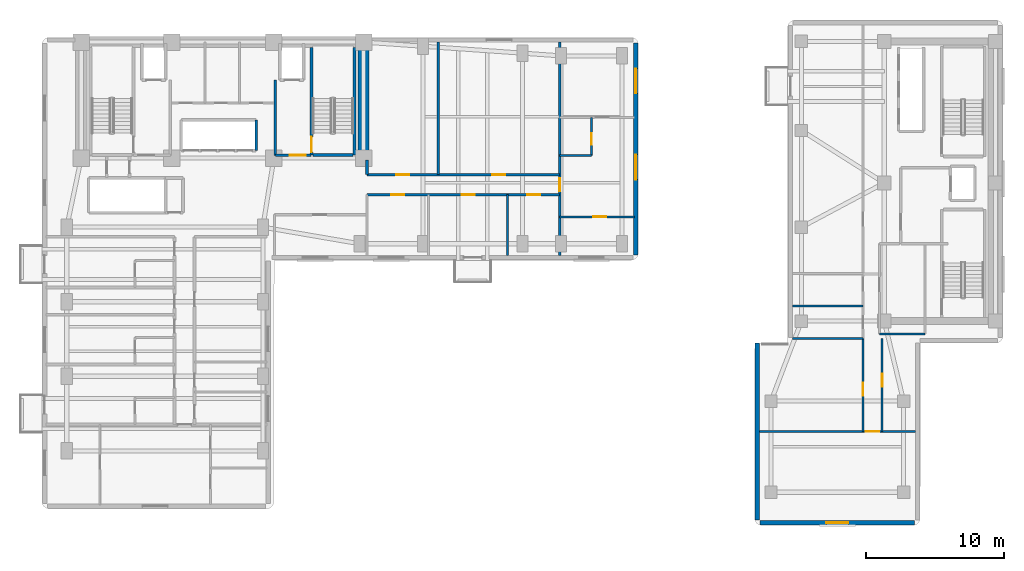
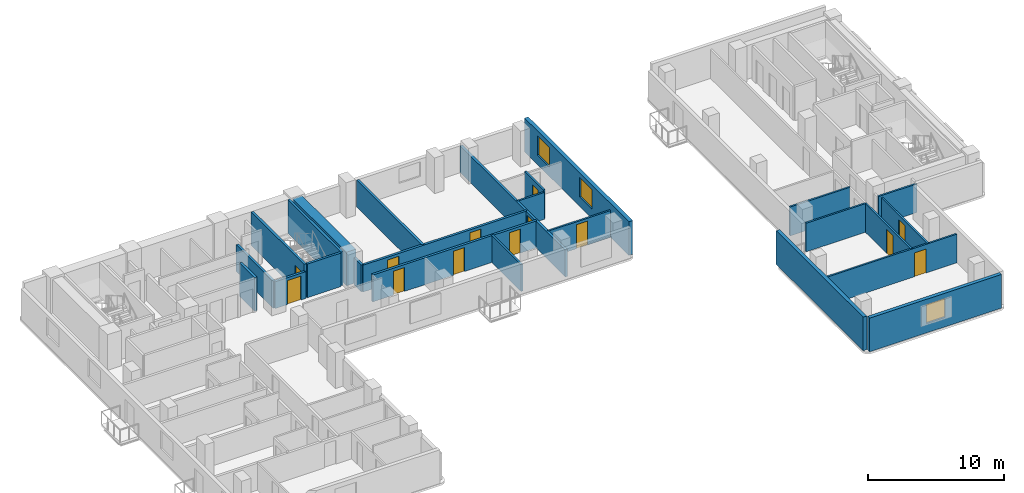
# One storey, part 5 of 11: 25 walls, 13 doors, 3 windows, 16 openings.
"""IFC4 building model written with IfcOpenShell, lengths in metres."""

from ifc_helpers import new_model, si_unit, direction, frame, frame_2d, origin, place, context, subcontext, project, spatial, rectangle, extrude, material, layer, layer_set, type_object, element, fill, save


model = new_model("IFC4")

# Units and contexts
model_context = context("Model", 3, precision=1e-05, world=origin(), true_north=direction((0.0, 1.0)))
body_context = subcontext(model_context, "Body", "Model", "MODEL_VIEW")
ifc_project = project(units=[si_unit("LENGTHUNIT", "METRE"), si_unit("AREAUNIT", "SQUARE_METRE"), si_unit("VOLUMEUNIT", "CUBIC_METRE"), si_unit("PLANEANGLEUNIT", "RADIAN"), si_unit("MASSUNIT", "GRAM", prefix="KILO")], contexts=[model_context])

# Site, building, storey
site_placement = place(None, origin())
site = spatial("IfcSite", under=ifc_project, at=site_placement, CompositionType="ELEMENT")
building_placement = place(site_placement, origin())
building = spatial("IfcBuilding", under=site, at=building_placement, Name="Kuzgunbayir Cultural Tower", CompositionType="ELEMENT")
storey_placement = place(building_placement, frame((0.0, 0.0, 83.39990234375)))
storey = spatial("IfcBuildingStorey", under=building, at=storey_placement, Name="L23", CompositionType="ELEMENT", Elevation=83.39990234375)

# Wall
ifc_material_1 = material(Name="Concrete C60/75", Category="concrete")
ifc_layer_1 = layer(ifc_material_1, 0.800048828125)
ifc_layer_set_1 = layer_set([ifc_layer_1], Name="Concrete C60/75")
wall_type_1 = type_object("IfcWallType", Name="WAL-CORE-800", PredefinedType="SHEAR", material=ifc_layer_set_1)
wall_1_placement = place(storey_placement, frame((26.89990234375, 33.800048828125, 0.0), z_axis=(0.0, 0.0, 1.0), x_axis=(0.0, 1.0, 0.0)))
element("IfcWall", 1, at=wall_1_placement, inside=storey, type_object=wall_type_1, Name="L23 T1 Core East Shear Wall", PredefinedType="SHEAR", context=body_context, shape_type="SweptSolid", body=[
    extrude(rectangle(XDim=7.949951171875, YDim=0.800048828125, at=frame_2d((3.97509765625, 0.0))), origin(), (0.0, 0.0, 1.0), 3.02001953125),
])

# Wall, opening, window
ifc_material_2 = material(Name="Anatolian Cream Limestone", Category="masonry")
ifc_layer_2 = layer(ifc_material_2, 0.300048828125)
ifc_layer_set_2 = layer_set([ifc_layer_2], Name="Anatolian Cream Limestone")
wall_type_2 = type_object("IfcWallType", Name="WAL-EXT-STONE-300", PredefinedType="STANDARD", material=ifc_layer_set_2)
wall_2_placement = place(storey_placement, frame((55.60009765625, 7.39990234375, 0.0), z_axis=(0.0, 0.0, 1.0), x_axis=(1.0, 0.0, 0.0)))
wall_2 = element("IfcWall", 2, at=wall_2_placement, inside=storey, type_object=wall_type_2, Name="L23 Companion Wing B South Wall", PredefinedType="STANDARD", context=body_context, shape_type="SweptSolid", body=[
    extrude(rectangle(XDim=11.199951171875, YDim=0.300048828125, at=frame_2d((5.60009765625, 0.0))), origin(), (0.0, 0.0, 1.0), 3.02001953125),
])
opening_1_placement = place(wall_2_placement, frame((4.800048828125, 0.0, 0.85009765625)))
opening_1 = element("IfcOpeningElement", 3, at=opening_1_placement, cuts=wall_2, Name="Opening WC-16", PredefinedType="OPENING", context=body_context, shape_type="SweptSolid", body=[
    extrude(rectangle(XDim=1.60009765625, YDim=1.699951171875, at=frame_2d((0.800048828125, 0.85009765625))), frame((0.0, 0.16015625, 0.0), z_axis=(0.0, -1.0, 0.0), x_axis=(1.0, 0.0, 0.0)), (0.0, 0.0, 1.0), 0.320068359375),
])
ifc_material_3 = material(Name="Solar-Control Triple Glazing", Category="glass")
window_type_1 = type_object("IfcWindowType", Name="WIN-COMP-16", PartitioningType="SINGLE_PANEL", PredefinedType="WINDOW", material=ifc_material_3)
window_1_placement = place(opening_1_placement, origin())
window_1 = element("IfcWindow", 4, at=window_1_placement, inside=storey, type_object=window_type_1, Name="L23 Companion South Window", OverallHeight=1.699951171875, OverallWidth=1.60009765625, PartitioningType="SINGLE_PANEL", PredefinedType="WINDOW", context=body_context, shape_type="SweptSolid", body=[
    extrude(rectangle(XDim=1.60009765625, YDim=1.699951171875, at=frame_2d((0.800048828125, 0.85009765625))), frame((0.0, 0.030029296875, 0.0), z_axis=(0.0, -1.0, 0.0), x_axis=(1.0, 0.0, 0.0)), (0.0, 0.0, 1.0), 0.06005859375),
])
fill(opening_1, window_1)

# Wall
wall_3_placement = place(storey_placement, frame((55.39990234375, 20.39990234375, 0.0), z_axis=(0.0, 0.0, 1.0), x_axis=(0.0, -1.0, 0.0)))
element("IfcWall", 5, at=wall_3_placement, inside=storey, type_object=wall_type_2, Name="L23 Companion Wing B West Wall", PredefinedType="STANDARD", context=body_context, shape_type="SweptSolid", body=[
    extrude(rectangle(XDim=12.7998046875, YDim=0.300048828125, at=frame_2d((6.39990234375, 0.0))), origin(), (0.0, 0.0, 1.0), 3.02001953125),
])

# Wall, openings, windows
ifc_material_4 = material(Name="Travertine Buff Ashlar", Category="masonry")
ifc_layer_3 = layer(ifc_material_4, 0.320068359375)
ifc_layer_set_3 = layer_set([ifc_layer_3], Name="Travertine Buff Ashlar")
wall_type_3 = type_object("IfcWallType", Name="WAL-EXT-STONE-320", PredefinedType="STANDARD", material=ifc_layer_set_3)
wall_4_placement = place(storey_placement, frame((46.60009765625, 26.800048828125, 0.0), z_axis=(0.0, 0.0, 1.0), x_axis=(0.0, 1.0, 0.0)))
wall_4 = element("IfcWall", 6, at=wall_4_placement, inside=storey, type_object=wall_type_3, Name="L23 Wing B East Limestone Wall", PredefinedType="STANDARD", context=body_context, shape_type="SweptSolid", body=[
    extrude(rectangle(XDim=15.349853515625, YDim=0.320068359375, at=frame_2d((7.6748046875, 0.0))), origin(), (0.0, 0.0, 1.0), 3.02001953125),
])
opening_2_placement = place(wall_4_placement, frame((5.449951171875, 0.0, 0.85009765625)))
opening_2 = element("IfcOpeningElement", 7, at=opening_2_placement, cuts=wall_4, Name="Opening WH-18", PredefinedType="OPENING", context=body_context, shape_type="SweptSolid", body=[
    extrude(rectangle(XDim=1.800048828125, YDim=1.75, at=frame_2d((0.89990234375, 0.875))), frame((0.0, 0.169921875, 0.0), z_axis=(0.0, -1.0, 0.0), x_axis=(1.0, 0.0, 0.0)), (0.0, 0.0, 1.0), 0.340087890625),
])
opening_3_placement = place(wall_4_placement, frame((11.679931640625, 0.0, 0.85009765625)))
opening_3 = element("IfcOpeningElement", 8, at=opening_3_placement, cuts=wall_4, Name="Opening WH-18", PredefinedType="OPENING", context=body_context, shape_type="SweptSolid", body=[
    extrude(rectangle(XDim=1.800048828125, YDim=1.75, at=frame_2d((0.89990234375, 0.875))), frame((0.0, 0.169921875, 0.0), z_axis=(0.0, -1.0, 0.0), x_axis=(1.0, 0.0, 0.0)), (0.0, 0.0, 1.0), 0.340087890625),
])
window_type_2 = type_object("IfcWindowType", Name="WIN-HOTEL-18", PartitioningType="SINGLE_PANEL", PredefinedType="WINDOW", material=ifc_material_3)
window_2_placement = place(opening_2_placement, origin())
window_2 = element("IfcWindow", 9, at=window_2_placement, inside=storey, type_object=window_type_2, Name="L23 WBE Facade Window 4", OverallHeight=1.75, OverallWidth=1.800048828125, PartitioningType="SINGLE_PANEL", PredefinedType="WINDOW", context=body_context, shape_type="SweptSolid", body=[
    extrude(rectangle(XDim=1.800048828125, YDim=1.75, at=frame_2d((0.89990234375, 0.875))), frame((0.0, 0.030029296875, 0.0), z_axis=(0.0, -1.0, 0.0), x_axis=(1.0, 0.0, 0.0)), (0.0, 0.0, 1.0), 0.06005859375),
])
fill(opening_2, window_2)
window_3_placement = place(opening_3_placement, origin())
window_3 = element("IfcWindow", 10, at=window_3_placement, inside=storey, type_object=window_type_2, Name="L23 WBE Facade Window 5", OverallHeight=1.75, OverallWidth=1.800048828125, PartitioningType="SINGLE_PANEL", PredefinedType="WINDOW", context=body_context, shape_type="SweptSolid", body=[
    extrude(rectangle(XDim=1.800048828125, YDim=1.75, at=frame_2d((0.89990234375, 0.875))), frame((0.0, 0.030029296875, 0.0), z_axis=(0.0, -1.0, 0.0), x_axis=(1.0, 0.0, 0.0)), (0.0, 0.0, 1.0), 0.06005859375),
])
fill(opening_3, window_3)

# Walls
ifc_material_5 = material(Name="Acoustic Double-Stud Drywall", Category="gypsum")
ifc_layer_4 = layer(ifc_material_5, 0.14990234375)
ifc_layer_set_4 = layer_set([ifc_layer_4], Name="Acoustic Double-Stud Drywall")
wall_type_4 = type_object("IfcWallType", Name="WAL-PART-ACOUSTIC-150", PredefinedType="PARTITIONING", material=ifc_layer_set_4)
wall_5_placement = place(storey_placement, frame((37.330078125, 26.75, 0.0), z_axis=(0.0, 0.0, 1.0), x_axis=(0.0, 1.0, 0.0)))
element("IfcWall", 11, at=wall_5_placement, inside=storey, type_object=wall_type_4, Name="L23 Wing B South Divider 2", PredefinedType="PARTITIONING", context=body_context, shape_type="SweptSolid", body=[
    extrude(rectangle(XDim=4.39990234375, YDim=0.14990234375, at=frame_2d((2.199951171875, 0.0))), origin(), (0.0, 0.0, 1.0), 2.41015625),
])
wall_6_placement = place(storey_placement, frame((64.25, 21.050048828125, 0.0), z_axis=(0.0, 0.0, 1.0), x_axis=(1.0, 0.0, 0.0)))
element("IfcWall", 12, at=wall_6_placement, inside=storey, type_object=wall_type_4, Name="L23 Companion Archive South Wall", PredefinedType="PARTITIONING", context=body_context, shape_type="SweptSolid", body=[
    extrude(rectangle(XDim=3.300048828125, YDim=0.14990234375, at=frame_2d((1.64990234375, 0.0))), origin(), (0.0, 0.0, 1.0), 2.570068359375),
])

# Wall, opening, door
wall_7_placement = place(storey_placement, frame((63.050048828125, 14.0, 0.0), z_axis=(0.0, 0.0, 1.0), x_axis=(0.0, 1.0, 0.0)))
wall_7 = element("IfcWall", 13, at=wall_7_placement, inside=storey, type_object=wall_type_4, Name="L23 Companion South Corridor West Wall", PredefinedType="PARTITIONING", context=body_context, shape_type="SweptSolid", body=[
    extrude(rectangle(XDim=6.75, YDim=0.14990234375, at=frame_2d((3.375, 0.0))), origin(), (0.0, 0.0, 1.0), 2.570068359375),
])
opening_4_placement = place(wall_7_placement, frame((2.60009765625, 0.0, 0.0)))
opening_4 = element("IfcOpeningElement", 14, at=opening_4_placement, cuts=wall_7, Name="Opening DI-90", PredefinedType="OPENING", context=body_context, shape_type="SweptSolid", body=[
    extrude(rectangle(XDim=0.949951171875, YDim=2.14990234375, at=frame_2d((0.47509765625, 1.074951171875))), frame((0.0, 0.0849609375, 0.0), z_axis=(0.0, -1.0, 0.0), x_axis=(1.0, 0.0, 0.0)), (0.0, 0.0, 1.0), 0.169921875),
])
ifc_material_6 = material(Name="Veneered Oak Single Leaf", Category="wood")
door_type_1 = type_object("IfcDoorType", Name="DR-INT-90", OperationType="NOTDEFINED", PredefinedType="DOOR", material=ifc_material_6)
door_1_placement = place(opening_4_placement, origin())
door_1 = element("IfcDoor", 15, at=door_1_placement, inside=storey, type_object=door_type_1, Name="L23 Companion West Atelier Door", OperationType="SINGLE_SWING_RIGHT", OverallHeight=2.14990234375, OverallWidth=0.949951171875, PredefinedType="DOOR", context=body_context, shape_type="SweptSolid", body=[
    extrude(rectangle(XDim=0.949951171875, YDim=2.14990234375, at=frame_2d((0.47509765625, 1.074951171875))), frame((0.0, 0.02490234375, 0.0), z_axis=(0.0, -1.0, 0.0), x_axis=(1.0, 0.0, 0.0)), (0.0, 0.0, 1.0), 0.050048828125),
])
fill(opening_4, door_1)

wall_8_placement = place(storey_placement, frame((55.550048828125, 14.0, 0.0), z_axis=(0.0, 0.0, 1.0), x_axis=(1.0, 0.0, 0.0)))
wall_8 = element("IfcWall", 16, at=wall_8_placement, inside=storey, type_object=wall_type_4, Name="L23 Companion South Gallery Wall", PredefinedType="PARTITIONING", context=body_context, shape_type="SweptSolid", body=[
    extrude(rectangle(XDim=11.300048828125, YDim=0.14990234375, at=frame_2d((5.64990234375, 0.0))), origin(), (0.0, 0.0, 1.0), 2.570068359375),
])
opening_5_placement = place(wall_8_placement, frame((7.699951171875, 0.0, 0.0)))
opening_5 = element("IfcOpeningElement", 17, at=opening_5_placement, cuts=wall_8, Name="Opening DI-100", PredefinedType="OPENING", context=body_context, shape_type="SweptSolid", body=[
    extrude(rectangle(XDim=1.0, YDim=2.14990234375, at=frame_2d((0.5, 1.074951171875))), frame((0.0, 0.0849609375, 0.0), z_axis=(0.0, -1.0, 0.0), x_axis=(1.0, 0.0, 0.0)), (0.0, 0.0, 1.0), 0.169921875),
])
door_type_2 = type_object("IfcDoorType", Name="DR-INT-100", OperationType="NOTDEFINED", PredefinedType="DOOR", material=ifc_material_6)
door_2_placement = place(opening_5_placement, origin())
door_2 = element("IfcDoor", 18, at=door_2_placement, inside=storey, type_object=door_type_2, Name="L23 Companion South Salon Door", OperationType="SINGLE_SWING_RIGHT", OverallHeight=2.14990234375, OverallWidth=1.0, PredefinedType="DOOR", context=body_context, shape_type="SweptSolid", body=[
    extrude(rectangle(XDim=1.0, YDim=2.14990234375, at=frame_2d((0.5, 1.074951171875))), frame((0.0, 0.02490234375, 0.0), z_axis=(0.0, -1.0, 0.0), x_axis=(1.0, 0.0, 0.0)), (0.0, 0.0, 1.0), 0.050048828125),
])
fill(opening_5, door_2)

wall_9_placement = place(storey_placement, frame((64.449951171875, 14.0, 0.0), z_axis=(0.0, 0.0, 1.0), x_axis=(0.0, 1.0, 0.0)))
wall_9 = element("IfcWall", 19, at=wall_9_placement, inside=storey, type_object=wall_type_4, Name="L23 Companion South Corridor East Wall", PredefinedType="PARTITIONING", context=body_context, shape_type="SweptSolid", body=[
    extrude(rectangle(XDim=6.75, YDim=0.14990234375, at=frame_2d((3.375, 0.0))), origin(), (0.0, 0.0, 1.0), 2.570068359375),
])
opening_6_placement = place(wall_9_placement, frame((3.239990234375, 0.0, 0.0)))
opening_6 = element("IfcOpeningElement", 20, at=opening_6_placement, cuts=wall_9, Name="Opening DI-90", PredefinedType="OPENING", context=body_context, shape_type="SweptSolid", body=[
    extrude(rectangle(XDim=0.949951171875, YDim=2.14990234375, at=frame_2d((0.47509765625, 1.074951171875))), frame((0.0, 0.0849609375, 0.0), z_axis=(0.0, -1.0, 0.0), x_axis=(1.0, 0.0, 0.0)), (0.0, 0.0, 1.0), 0.169921875),
])
door_3_placement = place(opening_6_placement, origin())
door_3 = element("IfcDoor", 21, at=door_3_placement, inside=storey, type_object=door_type_1, Name="L23 Companion East Studio Door", OperationType="SINGLE_SWING_LEFT", OverallHeight=2.14990234375, OverallWidth=0.949951171875, PredefinedType="DOOR", context=body_context, shape_type="SweptSolid", body=[
    extrude(rectangle(XDim=0.949951171875, YDim=2.14990234375, at=frame_2d((0.47509765625, 1.074951171875))), frame((0.0, 0.02490234375, 0.0), z_axis=(0.0, -1.0, 0.0), x_axis=(1.0, 0.0, 0.0)), (0.0, 0.0, 1.0), 0.050048828125),
])
fill(opening_6, door_3)

# Wall
ifc_material_7 = material(Name="Aerated Concrete Blockwork", Category="masonry")
ifc_layer_5 = layer(ifc_material_7, 0.199951171875)
ifc_layer_set_5 = layer_set([ifc_layer_5], Name="Aerated Concrete Blockwork")
wall_type_5 = type_object("IfcWallType", Name="WAL-PART-FIRE-200", PredefinedType="PARTITIONING", material=ifc_layer_set_5)
wall_10_placement = place(storey_placement, frame((20.5, 34.0, 0.0), z_axis=(0.0, 0.0, 1.0), x_axis=(0.0, 1.0, 0.0)))
element("IfcWall", 22, at=wall_10_placement, inside=storey, type_object=wall_type_5, Name="L23 FFL-2 Lobby West Fire Wall", PredefinedType="PARTITIONING", context=body_context, shape_type="SweptSolid", body=[
    extrude(rectangle(XDim=5.449951171875, YDim=0.199951171875, at=frame_2d((2.72509765625, 0.0))), origin(), (0.0, 0.0, 1.0), 2.41015625),
])

# Wall, opening, door
wall_11_placement = place(storey_placement, frame((20.5, 34.0, 0.0), z_axis=(0.0, 0.0, 1.0), x_axis=(1.0, 0.0, 0.0)))
wall_11 = element("IfcWall", 23, at=wall_11_placement, inside=storey, type_object=wall_type_5, Name="L23 FFL-2 Lobby South Fire Wall", PredefinedType="PARTITIONING", context=body_context, shape_type="SweptSolid", body=[
    extrude(rectangle(XDim=2.60009765625, YDim=0.199951171875, at=frame_2d((1.300048828125, 0.0))), origin(), (0.0, 0.0, 1.0), 2.41015625),
])
opening_7_placement = place(wall_11_placement, frame((1.050048828125, 0.0, 0.0)))
opening_7 = element("IfcOpeningElement", 24, at=opening_7_placement, cuts=wall_11, Name="Opening DR-FFL-90", PredefinedType="OPENING", context=body_context, shape_type="SweptSolid", body=[
    extrude(rectangle(XDim=1.14990234375, YDim=2.14990234375, at=frame_2d((0.574951171875, 1.074951171875))), frame((0.0, 0.10986328125, 0.0), z_axis=(0.0, -1.0, 0.0), x_axis=(1.0, 0.0, 0.0)), (0.0, 0.0, 1.0), 0.219970703125),
])
ifc_material_8 = material(Name="Steel S355J2", Category="steel")
door_type_3 = type_object("IfcDoorType", Name="DR-FFL-90", OperationType="NOTDEFINED", PredefinedType="DOOR", material=ifc_material_8)
door_4_placement = place(opening_7_placement, origin())
door_4 = element("IfcDoor", 25, at=door_4_placement, inside=storey, type_object=door_type_3, Name="L23 Firefighting Lobby 2 Door", OperationType="SINGLE_SWING_LEFT", OverallHeight=2.14990234375, OverallWidth=1.14990234375, PredefinedType="DOOR", context=body_context, shape_type="SweptSolid", body=[
    extrude(rectangle(XDim=1.14990234375, YDim=2.14990234375, at=frame_2d((0.574951171875, 1.074951171875))), frame((0.0, 0.02490234375, 0.0), z_axis=(0.0, -1.0, 0.0), x_axis=(1.0, 0.0, 0.0)), (0.0, 0.0, 1.0), 0.050048828125),
])
fill(opening_7, door_4)

# Wall, openings, doors
wall_12_placement = place(storey_placement, frame((27.14990234375, 31.14990234375, 0.0), z_axis=(0.0, 0.0, 1.0), x_axis=(1.0, 0.0, 0.0)))
wall_12 = element("IfcWall", 26, at=wall_12_placement, inside=storey, type_object=wall_type_5, Name="L23 Wing B Hotel Corridor South Wall", PredefinedType="PARTITIONING", context=body_context, shape_type="SweptSolid", body=[
    extrude(rectangle(XDim=13.9501953125, YDim=0.199951171875, at=frame_2d((6.97509765625, 0.0))), origin(), (0.0, 0.0, 1.0), 2.41015625),
])
opening_8_placement = place(wall_12_placement, frame((1.75, 0.0, 0.0)))
opening_8 = element("IfcOpeningElement", 27, at=opening_8_placement, cuts=wall_12, Name="Opening DI-90", PredefinedType="OPENING", context=body_context, shape_type="SweptSolid", body=[
    extrude(rectangle(XDim=0.949951171875, YDim=2.14990234375, at=frame_2d((0.47509765625, 1.074951171875))), frame((0.0, 0.10986328125, 0.0), z_axis=(0.0, -1.0, 0.0), x_axis=(1.0, 0.0, 0.0)), (0.0, 0.0, 1.0), 0.219970703125),
])
opening_9_placement = place(wall_12_placement, frame((6.840087890625, 0.0, 0.0)))
opening_9 = element("IfcOpeningElement", 28, at=opening_9_placement, cuts=wall_12, Name="Opening DI-90", PredefinedType="OPENING", context=body_context, shape_type="SweptSolid", body=[
    extrude(rectangle(XDim=0.949951171875, YDim=2.14990234375, at=frame_2d((0.47509765625, 1.074951171875))), frame((0.0, 0.10986328125, 0.0), z_axis=(0.0, -1.0, 0.0), x_axis=(1.0, 0.0, 0.0)), (0.0, 0.0, 1.0), 0.219970703125),
])
opening_10_placement = place(wall_12_placement, frame((11.590087890625, 0.0, 0.0)))
opening_10 = element("IfcOpeningElement", 29, at=opening_10_placement, cuts=wall_12, Name="Opening DI-90", PredefinedType="OPENING", context=body_context, shape_type="SweptSolid", body=[
    extrude(rectangle(XDim=0.949951171875, YDim=2.14990234375, at=frame_2d((0.47509765625, 1.074951171875))), frame((0.0, 0.10986328125, 0.0), z_axis=(0.0, -1.0, 0.0), x_axis=(1.0, 0.0, 0.0)), (0.0, 0.0, 1.0), 0.219970703125),
])
door_5_placement = place(opening_8_placement, origin())
door_5 = element("IfcDoor", 30, at=door_5_placement, inside=storey, type_object=door_type_1, Name="L23 Fellows Reading Lounge B1 Door", OperationType="SINGLE_SWING_LEFT", OverallHeight=2.14990234375, OverallWidth=0.949951171875, PredefinedType="DOOR", context=body_context, shape_type="SweptSolid", body=[
    extrude(rectangle(XDim=0.949951171875, YDim=2.14990234375, at=frame_2d((0.47509765625, 1.074951171875))), frame((0.0, 0.02490234375, 0.0), z_axis=(0.0, -1.0, 0.0), x_axis=(1.0, 0.0, 0.0)), (0.0, 0.0, 1.0), 0.050048828125),
])
fill(opening_8, door_5)
door_6_placement = place(opening_9_placement, origin())
door_6 = element("IfcDoor", 31, at=door_6_placement, inside=storey, type_object=door_type_1, Name="L23 Fellows Reading Lounge B2 Door", OperationType="SINGLE_SWING_RIGHT", OverallHeight=2.14990234375, OverallWidth=0.949951171875, PredefinedType="DOOR", context=body_context, shape_type="SweptSolid", body=[
    extrude(rectangle(XDim=0.949951171875, YDim=2.14990234375, at=frame_2d((0.47509765625, 1.074951171875))), frame((0.0, 0.02490234375, 0.0), z_axis=(0.0, -1.0, 0.0), x_axis=(1.0, 0.0, 0.0)), (0.0, 0.0, 1.0), 0.050048828125),
])
fill(opening_9, door_6)
door_7_placement = place(opening_10_placement, origin())
door_7 = element("IfcDoor", 32, at=door_7_placement, inside=storey, type_object=door_type_1, Name="L23 Fellows Reading Lounge B3 Door", OperationType="SINGLE_SWING_LEFT", OverallHeight=2.14990234375, OverallWidth=0.949951171875, PredefinedType="DOOR", context=body_context, shape_type="SweptSolid", body=[
    extrude(rectangle(XDim=0.949951171875, YDim=2.14990234375, at=frame_2d((0.47509765625, 1.074951171875))), frame((0.0, 0.02490234375, 0.0), z_axis=(0.0, -1.0, 0.0), x_axis=(1.0, 0.0, 0.0)), (0.0, 0.0, 1.0), 0.050048828125),
])
fill(opening_10, door_7)

wall_13_placement = place(storey_placement, frame((27.14990234375, 32.60009765625, 0.0), z_axis=(0.0, 0.0, 1.0), x_axis=(1.0, 0.0, 0.0)))
wall_13 = element("IfcWall", 33, at=wall_13_placement, inside=storey, type_object=wall_type_5, Name="L23 Wing B Hotel Corridor North Wall", PredefinedType="PARTITIONING", context=body_context, shape_type="SweptSolid", body=[
    extrude(rectangle(XDim=13.9501953125, YDim=0.199951171875, at=frame_2d((6.97509765625, 0.0))), origin(), (0.0, 0.0, 1.0), 2.41015625),
])
opening_11_placement = place(wall_13_placement, frame((2.10009765625, 0.0, 0.0)))
opening_11 = element("IfcOpeningElement", 34, at=opening_11_placement, cuts=wall_13, Name="Opening DI-90", PredefinedType="OPENING", context=body_context, shape_type="SweptSolid", body=[
    extrude(rectangle(XDim=0.949951171875, YDim=2.14990234375, at=frame_2d((0.47509765625, 1.074951171875))), frame((0.0, 0.10986328125, 0.0), z_axis=(0.0, -1.0, 0.0), x_axis=(1.0, 0.0, 0.0)), (0.0, 0.0, 1.0), 0.219970703125),
])
opening_12_placement = place(wall_13_placement, frame((9.070068359375, 0.0, 0.0)))
opening_12 = element("IfcOpeningElement", 35, at=opening_12_placement, cuts=wall_13, Name="Opening DI-90", PredefinedType="OPENING", context=body_context, shape_type="SweptSolid", body=[
    extrude(rectangle(XDim=0.949951171875, YDim=2.14990234375, at=frame_2d((0.47509765625, 1.074951171875))), frame((0.0, 0.10986328125, 0.0), z_axis=(0.0, -1.0, 0.0), x_axis=(1.0, 0.0, 0.0)), (0.0, 0.0, 1.0), 0.219970703125),
])
door_8_placement = place(opening_11_placement, origin())
door_8 = element("IfcDoor", 36, at=door_8_placement, inside=storey, type_object=door_type_1, Name="L23 North Fellows Reading Lounge 1 Door", OperationType="SINGLE_SWING_RIGHT", OverallHeight=2.14990234375, OverallWidth=0.949951171875, PredefinedType="DOOR", context=body_context, shape_type="SweptSolid", body=[
    extrude(rectangle(XDim=0.949951171875, YDim=2.14990234375, at=frame_2d((0.47509765625, 1.074951171875))), frame((0.0, 0.02490234375, 0.0), z_axis=(0.0, -1.0, 0.0), x_axis=(1.0, 0.0, 0.0)), (0.0, 0.0, 1.0), 0.050048828125),
])
fill(opening_11, door_8)
door_9_placement = place(opening_12_placement, origin())
door_9 = element("IfcDoor", 37, at=door_9_placement, inside=storey, type_object=door_type_1, Name="L23 North Wellness Consultation Studio 2 Door", OperationType="SINGLE_SWING_LEFT", OverallHeight=2.14990234375, OverallWidth=0.949951171875, PredefinedType="DOOR", context=body_context, shape_type="SweptSolid", body=[
    extrude(rectangle(XDim=0.949951171875, YDim=2.14990234375, at=frame_2d((0.47509765625, 1.074951171875))), frame((0.0, 0.02490234375, 0.0), z_axis=(0.0, -1.0, 0.0), x_axis=(1.0, 0.0, 0.0)), (0.0, 0.0, 1.0), 0.050048828125),
])
fill(opening_12, door_9)

# Wall
wall_14_placement = place(storey_placement, frame((27.14990234375, 32.60009765625, 0.0), z_axis=(0.0, 0.0, 1.0), x_axis=(0.0, 1.0, 0.0)))
element("IfcWall", 38, at=wall_14_placement, inside=storey, type_object=wall_type_5, Name="L23 Wing B North Core Closure Wall", PredefinedType="PARTITIONING", context=body_context, shape_type="SweptSolid", body=[
    extrude(rectangle(XDim=1.079833984375, YDim=0.199951171875, at=frame_2d((0.5400390625, 0.0))), origin(), (0.0, 0.0, 1.0), 2.41015625),
])

# Wall, opening, door
wall_15_placement = place(storey_placement, frame((41.10009765625, 26.75, 0.0), z_axis=(0.0, 0.0, 1.0), x_axis=(0.0, 1.0, 0.0)))
wall_15 = element("IfcWall", 39, at=wall_15_placement, inside=storey, type_object=wall_type_5, Name="L23 Wing B East Suite Wall", PredefinedType="PARTITIONING", context=body_context, shape_type="SweptSolid", body=[
    extrude(rectangle(XDim=15.449951171875, YDim=0.199951171875, at=frame_2d((7.72509765625, 0.0))), origin(), (0.0, 0.0, 1.0), 2.41015625),
])
opening_13_placement = place(wall_15_placement, frame((4.64990234375, 0.0, 0.0)))
opening_13 = element("IfcOpeningElement", 40, at=opening_13_placement, cuts=wall_15, Name="Opening DR-APT-60", PredefinedType="OPENING", context=body_context, shape_type="SweptSolid", body=[
    extrude(rectangle(XDim=0.949951171875, YDim=2.14990234375, at=frame_2d((0.47509765625, 1.074951171875))), frame((0.0, 0.10986328125, 0.0), z_axis=(0.0, -1.0, 0.0), x_axis=(1.0, 0.0, 0.0)), (0.0, 0.0, 1.0), 0.219970703125),
])
ifc_material_9 = material(Name="Acoustic Fire Timber Leaf", Category="wood")
door_type_4 = type_object("IfcDoorType", Name="DR-APT-60", OperationType="NOTDEFINED", PredefinedType="DOOR", material=ifc_material_9)
door_10_placement = place(opening_13_placement, origin())
door_10 = element("IfcDoor", 41, at=door_10_placement, inside=storey, type_object=door_type_4, Name="L23 Corner Suite Entrance", OperationType="SINGLE_SWING_LEFT", OverallHeight=2.14990234375, OverallWidth=0.949951171875, PredefinedType="DOOR", context=body_context, shape_type="SweptSolid", body=[
    extrude(rectangle(XDim=0.949951171875, YDim=2.14990234375, at=frame_2d((0.47509765625, 1.074951171875))), frame((0.0, 0.02490234375, 0.0), z_axis=(0.0, -1.0, 0.0), x_axis=(1.0, 0.0, 0.0)), (0.0, 0.0, 1.0), 0.050048828125),
])
fill(opening_13, door_10)

# Wall
wall_16_placement = place(storey_placement, frame((32.31005859375, 32.60009765625, 0.0), z_axis=(0.0, 0.0, 1.0), x_axis=(0.0, 1.0, 0.0)))
element("IfcWall", 42, at=wall_16_placement, inside=storey, type_object=wall_type_5, Name="L23 Wing B North Party Wall 1", PredefinedType="PARTITIONING", context=body_context, shape_type="SweptSolid", body=[
    extrude(rectangle(XDim=9.599853515625, YDim=0.199951171875, at=frame_2d((4.7998046875, 0.0))), origin(), (0.0, 0.0, 1.0), 2.41015625),
])

# Wall, opening, door
ifc_material_10 = material(Name="Moisture-Resistant Tile Partition", Category="gypsum")
ifc_layer_6 = layer(ifc_material_10, 0.14990234375)
ifc_layer_set_6 = layer_set([ifc_layer_6], Name="Moisture-Resistant Tile Partition")
wall_type_6 = type_object("IfcWallType", Name="WAL-PART-WET-150", PredefinedType="PARTITIONING", material=ifc_layer_set_6)
wall_17_placement = place(storey_placement, frame((41.10009765625, 29.550048828125, 0.0), z_axis=(0.0, 0.0, 1.0), x_axis=(1.0, 0.0, 0.0)))
wall_17 = element("IfcWall", 43, at=wall_17_placement, inside=storey, type_object=wall_type_6, Name="L23 Corner Suite Kitchen Wall", PredefinedType="PARTITIONING", context=body_context, shape_type="SweptSolid", body=[
    extrude(rectangle(XDim=5.39990234375, YDim=0.14990234375, at=frame_2d((2.699951171875, 0.0))), origin(), (0.0, 0.0, 1.0), 2.41015625),
])
opening_14_placement = place(wall_17_placement, frame((2.429931640625, 0.0, 0.0)))
opening_14 = element("IfcOpeningElement", 44, at=opening_14_placement, cuts=wall_17, Name="Opening DI-90", PredefinedType="OPENING", context=body_context, shape_type="SweptSolid", body=[
    extrude(rectangle(XDim=0.949951171875, YDim=2.14990234375, at=frame_2d((0.47509765625, 1.074951171875))), frame((0.0, 0.0849609375, 0.0), z_axis=(0.0, -1.0, 0.0), x_axis=(1.0, 0.0, 0.0)), (0.0, 0.0, 1.0), 0.169921875),
])
door_11_placement = place(opening_14_placement, origin())
door_11 = element("IfcDoor", 45, at=door_11_placement, inside=storey, type_object=door_type_1, Name="L23 Corner Suite Kitchen Door", OperationType="SINGLE_SWING_RIGHT", OverallHeight=2.14990234375, OverallWidth=0.949951171875, PredefinedType="DOOR", context=body_context, shape_type="SweptSolid", body=[
    extrude(rectangle(XDim=0.949951171875, YDim=2.14990234375, at=frame_2d((0.47509765625, 1.074951171875))), frame((0.0, 0.02490234375, 0.0), z_axis=(0.0, -1.0, 0.0), x_axis=(1.0, 0.0, 0.0)), (0.0, 0.0, 1.0), 0.050048828125),
])
fill(opening_14, door_11)

# Wall
wall_18_placement = place(storey_placement, frame((41.10009765625, 34.0, 0.0), z_axis=(0.0, 0.0, 1.0), x_axis=(1.0, 0.0, 0.0)))
element("IfcWall", 46, at=wall_18_placement, inside=storey, type_object=wall_type_6, Name="L23 Corner Suite Bath South Wall", PredefinedType="PARTITIONING", context=body_context, shape_type="SweptSolid", body=[
    extrude(rectangle(XDim=2.2998046875, YDim=0.14990234375, at=frame_2d((1.14990234375, 0.0))), origin(), (0.0, 0.0, 1.0), 2.41015625),
])

# Wall, opening, door
wall_19_placement = place(storey_placement, frame((43.39990234375, 34.0, 0.0), z_axis=(0.0, 0.0, 1.0), x_axis=(0.0, 1.0, 0.0)))
wall_19 = element("IfcWall", 47, at=wall_19_placement, inside=storey, type_object=wall_type_6, Name="L23 Corner Suite Bath East Wall", PredefinedType="PARTITIONING", context=body_context, shape_type="SweptSolid", body=[
    extrude(rectangle(XDim=2.75, YDim=0.14990234375, at=frame_2d((1.375, 0.0))), origin(), (0.0, 0.0, 1.0), 2.60009765625),
])
opening_15_placement = place(wall_19_placement, frame((0.75, 0.0, 0.0)))
opening_15 = element("IfcOpeningElement", 48, at=opening_15_placement, cuts=wall_19, Name="Opening DW-85", PredefinedType="OPENING", context=body_context, shape_type="SweptSolid", body=[
    extrude(rectangle(XDim=0.85009765625, YDim=2.10009765625, at=frame_2d((0.425048828125, 1.050048828125))), frame((0.0, 0.0849609375, 0.0), z_axis=(0.0, -1.0, 0.0), x_axis=(1.0, 0.0, 0.0)), (0.0, 0.0, 1.0), 0.169921875),
])
ifc_material_11 = material(Name="Laminate Moisture-Resistant Leaf", Category="wood")
door_type_5 = type_object("IfcDoorType", Name="DR-WET-85", OperationType="NOTDEFINED", PredefinedType="DOOR", material=ifc_material_11)
door_12_placement = place(opening_15_placement, origin())
door_12 = element("IfcDoor", 49, at=door_12_placement, inside=storey, type_object=door_type_5, Name="L23 Corner Suite Bathroom Door", OperationType="SINGLE_SWING_LEFT", OverallHeight=2.10009765625, OverallWidth=0.85009765625, PredefinedType="DOOR", context=body_context, shape_type="SweptSolid", body=[
    extrude(rectangle(XDim=0.85009765625, YDim=2.10009765625, at=frame_2d((0.425048828125, 1.050048828125))), frame((0.0, 0.02490234375, 0.0), z_axis=(0.0, -1.0, 0.0), x_axis=(1.0, 0.0, 0.0)), (0.0, 0.0, 1.0), 0.050048828125),
])
fill(opening_15, door_12)

# Walls
wall_20_placement = place(storey_placement, frame((57.949951171875, 20.75, 0.0), z_axis=(0.0, 0.0, 1.0), x_axis=(1.0, 0.0, 0.0)))
element("IfcWall", 50, at=wall_20_placement, inside=storey, type_object=wall_type_6, Name="L23 Companion WC South Wall", PredefinedType="PARTITIONING", context=body_context, shape_type="SweptSolid", body=[
    extrude(rectangle(XDim=5.10009765625, YDim=0.14990234375, at=frame_2d((2.550048828125, 0.0))), origin(), (0.0, 0.0, 1.0), 2.570068359375),
])
wall_21_placement = place(storey_placement, frame((57.949951171875, 23.10009765625, 0.0), z_axis=(0.0, 0.0, 1.0), x_axis=(1.0, 0.0, 0.0)))
element("IfcWall", 51, at=wall_21_placement, inside=storey, type_object=wall_type_6, Name="L23 Companion WC North Wall", PredefinedType="PARTITIONING", context=body_context, shape_type="SweptSolid", body=[
    extrude(rectangle(XDim=5.10009765625, YDim=0.14990234375, at=frame_2d((2.550048828125, 0.0))), origin(), (0.0, 0.0, 1.0), 2.60009765625),
])
ifc_material_12 = material(Name="Concrete C40/50", Category="concrete")
ifc_layer_7 = layer(ifc_material_12, 0.199951171875)
ifc_layer_set_7 = layer_set([ifc_layer_7], Name="Concrete C40/50")
wall_type_7 = type_object("IfcWallType", Name="WAL-SHAFT-200", PredefinedType="MOVABLE", material=ifc_layer_set_7)
wall_22_placement = place(storey_placement, frame((19.1201171875, 34.35009765625, 0.0), z_axis=(0.0, 0.0, 1.0), x_axis=(0.0, 1.0, 0.0)))
element("IfcWall", 52, at=wall_22_placement, inside=storey, type_object=wall_type_7, Name="L23 Mid-Rise Lift Shaft East Wall", PredefinedType="MOVABLE", context=body_context, shape_type="SweptSolid", body=[
    extrude(rectangle(XDim=2.199951171875, YDim=0.199951171875, at=frame_2d((1.10009765625, 0.0))), origin(), (0.0, 0.0, 1.0), 3.02001953125),
])

# Wall, opening, door
ifc_layer_8 = layer(ifc_material_12, 0.199951171875)
ifc_layer_set_8 = layer_set([ifc_layer_8], Name="Concrete C40/50")
wall_type_8 = type_object("IfcWallType", Name="WAL-STAIR-RC-200", PredefinedType="SHEAR", material=ifc_layer_set_8)
wall_23_placement = place(storey_placement, frame((23.1201171875, 34.02001953125, 0.0), z_axis=(0.0, 0.0, 1.0), x_axis=(0.0, 1.0, 0.0)))
wall_23 = element("IfcWall", 53, at=wall_23_placement, inside=storey, type_object=wall_type_8, Name="L23 Stair ST-2 West Structural Wall", PredefinedType="SHEAR", context=body_context, shape_type="SweptSolid", body=[
    extrude(rectangle(XDim=7.780029296875, YDim=0.199951171875, at=frame_2d((3.89013671875, 0.0))), origin(), (0.0, 0.0, 1.0), 3.02001953125),
])
opening_16_placement = place(wall_23_placement, frame((0.219970703125, 0.0, 0.0)))
opening_16 = element("IfcOpeningElement", 54, at=opening_16_placement, cuts=wall_23, Name="Opening DR-STAIR-90", PredefinedType="OPENING", context=body_context, shape_type="SweptSolid", body=[
    extrude(rectangle(XDim=1.10009765625, YDim=2.14990234375, at=frame_2d((0.550048828125, 1.074951171875))), frame((0.0, 0.10986328125, 0.0), z_axis=(0.0, -1.0, 0.0), x_axis=(1.0, 0.0, 0.0)), (0.0, 0.0, 1.0), 0.219970703125),
])
door_type_6 = type_object("IfcDoorType", Name="DR-STAIR-90", OperationType="NOTDEFINED", PredefinedType="DOOR", material=ifc_material_8)
door_13_placement = place(opening_16_placement, origin())
door_13 = element("IfcDoor", 55, at=door_13_placement, inside=storey, type_object=door_type_6, Name="L23 Stair ST-2 Fire Door", OperationType="SINGLE_SWING_LEFT", OverallHeight=2.14990234375, OverallWidth=1.10009765625, PredefinedType="DOOR", context=body_context, shape_type="SweptSolid", body=[
    extrude(rectangle(XDim=1.10009765625, YDim=2.14990234375, at=frame_2d((0.550048828125, 1.074951171875))), frame((0.0, 0.02490234375, 0.0), z_axis=(0.0, -1.0, 0.0), x_axis=(1.0, 0.0, 0.0)), (0.0, 0.0, 1.0), 0.050048828125),
])
fill(opening_16, door_13)

# Walls
wall_24_placement = place(storey_placement, frame((26.239990234375, 34.02001953125, 0.0), z_axis=(0.0, 0.0, 1.0), x_axis=(0.0, 1.0, 0.0)))
element("IfcWall", 56, at=wall_24_placement, inside=storey, type_object=wall_type_8, Name="L23 Stair ST-2 East Structural Wall", PredefinedType="SHEAR", context=body_context, shape_type="SweptSolid", body=[
    extrude(rectangle(XDim=7.780029296875, YDim=0.199951171875, at=frame_2d((3.89013671875, 0.0))), origin(), (0.0, 0.0, 1.0), 3.02001953125),
])
wall_25_placement = place(storey_placement, frame((23.239990234375, 34.02001953125, 0.0), z_axis=(0.0, 0.0, 1.0), x_axis=(1.0, 0.0, 0.0)))
element("IfcWall", 57, at=wall_25_placement, inside=storey, type_object=wall_type_8, Name="L23 Stair ST-2 South Structural Wall", PredefinedType="SHEAR", context=body_context, shape_type="SweptSolid", body=[
    extrude(rectangle(XDim=2.880126953125, YDim=0.199951171875, at=frame_2d((1.43994140625, 0.0))), origin(), (0.0, 0.0, 1.0), 3.02001953125),
])

save(model, "model.ifc")
